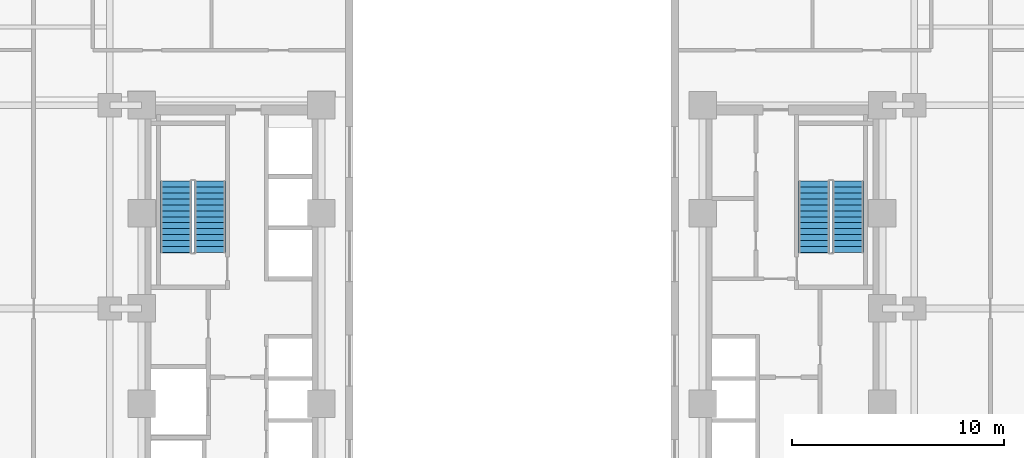
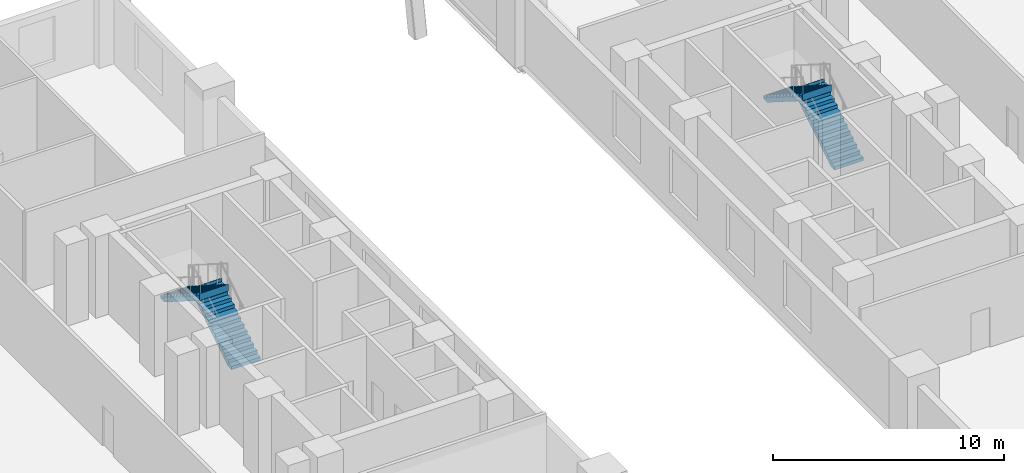
# One storey, part 7 of 15: 4 stair flights, 2 elements without a shape of their own.
"""IFC4 building model written with IfcOpenShell, lengths in metres."""

from ifc_helpers import new_model, si_unit, direction, frame, origin, place, context, subcontext, project, spatial, polyline, outline, extrude, material, type_object, element, aggregate, save


model = new_model("IFC4")

# Units and contexts
model_context = context("Model", 3, precision=1e-05, world=origin(), true_north=direction((0.0, 1.0)))
body_context = subcontext(model_context, "Body", "Model", "MODEL_VIEW")
ifc_project = project(units=[si_unit("LENGTHUNIT", "METRE"), si_unit("AREAUNIT", "SQUARE_METRE"), si_unit("VOLUMEUNIT", "CUBIC_METRE"), si_unit("PLANEANGLEUNIT", "RADIAN"), si_unit("MASSUNIT", "GRAM", prefix="KILO")], contexts=[model_context])

# Site, building, storey
site_placement = place(None, origin())
site = spatial("IfcSite", under=ifc_project, at=site_placement, CompositionType="ELEMENT")
building_placement = place(site_placement, origin())
building = spatial("IfcBuilding", under=site, at=building_placement, Name="Nuvemarco Arch Tower", CompositionType="ELEMENT")
storey_placement = place(building_placement, frame((0.0, 0.0, 4.60009765625)))
storey = spatial("IfcBuildingStorey", under=building, at=storey_placement, Name="L01", CompositionType="ELEMENT", Elevation=4.60009765625)

# Stair, stair flights
ifc_material = material(Name="Precast concrete C45/55", Category="concrete")
stair_type = type_object("IfcStairType", Name="ST-CORE-26R", PredefinedType="HALF_TURN_STAIR", material=ifc_material)
stair_1_placement = place(storey_placement, origin())
stair_1 = element("IfcStair", 1, at=stair_1_placement, inside=storey, type_object=stair_type, Name="L01 Protected Exit Stair ST-1", PredefinedType="HALF_TURN_STAIR")
stair_flight_type = type_object("IfcStairFlightType", Name="SF-CORE-26R", PredefinedType="STRAIGHT", material=ifc_material)
stair_flight_1_placement = place(storey_placement, frame((-14.264892578125, 2.64990234375, 0.0), z_axis=(0.0, 0.0, 1.0), x_axis=(0.0, 1.0, 0.0)))
stair_flight_1 = element("IfcStairFlight", 2, at=stair_flight_1_placement, type_object=stair_flight_type, Name="ST-26R flight 1", NumberOfRisers=13, NumberOfTreads=12, PredefinedType="STRAIGHT", RiserHeight=0.176923077, TreadLength=0.28, context=body_context, shape_type="SweptSolid", body=[
    extrude(outline(polyline([(0.0, 0.0), (0.0, 0.177001953125), (0.280029296875, 0.177001953125), (0.280029296875, 0.353759765625), (0.56005859375, 0.353759765625), (0.56005859375, 0.53076171875), (0.840087890625, 0.53076171875), (0.840087890625, 0.707763671875), (1.1201171875, 0.707763671875), (1.1201171875, 0.884521484375), (1.39990234375, 0.884521484375), (1.39990234375, 1.0615234375), (1.679931640625, 1.0615234375), (1.679931640625, 1.238525390625), (1.9599609375, 1.238525390625), (1.9599609375, 1.415283203125), (2.239990234375, 1.415283203125), (2.239990234375, 1.59228515625), (2.52001953125, 1.59228515625), (2.52001953125, 1.769287109375), (2.800048828125, 1.769287109375), (2.800048828125, 1.946044921875), (3.080078125, 1.946044921875), (3.080078125, 2.123046875), (3.360107421875, 2.123046875), (3.360107421875, 2.300048828125), (3.3798828125, 2.300048828125), (3.3798828125, 1.933837890625), (0.3193359375, 0.0), (0.0, 0.0)])), frame((0.0, 0.72509765625, 0.0), z_axis=(0.0, -1.0, 0.0), x_axis=(1.0, 0.0, 0.0)), (0.0, 0.0, 1.0), 1.449951171875),
])
stair_flight_2_placement = place(storey_placement, frame((-15.875, 6.010009765625, 2.2998046875), z_axis=(0.0, 0.0, 1.0), x_axis=(0.0, -1.0, 0.0)))
stair_flight_2 = element("IfcStairFlight", 3, at=stair_flight_2_placement, type_object=stair_flight_type, Name="ST-26R flight 2", NumberOfRisers=13, NumberOfTreads=12, PredefinedType="STRAIGHT", RiserHeight=0.176923077, TreadLength=0.28, context=body_context, shape_type="SweptSolid", body=[
    extrude(outline(polyline([(0.0, 0.0), (0.0, 0.177001953125), (0.280029296875, 0.177001953125), (0.280029296875, 0.353759765625), (0.56005859375, 0.353759765625), (0.56005859375, 0.53076171875), (0.840087890625, 0.53076171875), (0.840087890625, 0.707763671875), (1.1201171875, 0.707763671875), (1.1201171875, 0.884521484375), (1.39990234375, 0.884521484375), (1.39990234375, 1.0615234375), (1.679931640625, 1.0615234375), (1.679931640625, 1.238525390625), (1.9599609375, 1.238525390625), (1.9599609375, 1.415283203125), (2.239990234375, 1.415283203125), (2.239990234375, 1.59228515625), (2.52001953125, 1.59228515625), (2.52001953125, 1.769287109375), (2.800048828125, 1.769287109375), (2.800048828125, 1.946044921875), (3.080078125, 1.946044921875), (3.080078125, 2.123046875), (3.360107421875, 2.123046875), (3.360107421875, 2.300048828125), (3.3798828125, 2.300048828125), (3.3798828125, 1.933837890625), (0.3193359375, 0.0), (0.0, 0.0)])), frame((0.0, 0.72509765625, 0.0), z_axis=(0.0, -1.0, 0.0), x_axis=(1.0, 0.0, 0.0)), (0.0, 0.0, 1.0), 1.449951171875),
])
aggregate(stair_1, [stair_flight_1, stair_flight_2])

stair_2_placement = place(storey_placement, origin())
stair_2 = element("IfcStair", 4, at=stair_2_placement, inside=storey, type_object=stair_type, Name="L01 Protected Exit Stair ST-2", PredefinedType="HALF_TURN_STAIR")
stair_flight_3_placement = place(storey_placement, frame((15.875, 2.64990234375, 0.0), z_axis=(0.0, 0.0, 1.0), x_axis=(0.0, 1.0, 0.0)))
stair_flight_3 = element("IfcStairFlight", 5, at=stair_flight_3_placement, type_object=stair_flight_type, Name="ST-26R flight 1", NumberOfRisers=13, NumberOfTreads=12, PredefinedType="STRAIGHT", RiserHeight=0.176923077, TreadLength=0.28, context=body_context, shape_type="SweptSolid", body=[
    extrude(outline(polyline([(0.0, 0.0), (0.0, 0.177001953125), (0.280029296875, 0.177001953125), (0.280029296875, 0.353759765625), (0.56005859375, 0.353759765625), (0.56005859375, 0.53076171875), (0.840087890625, 0.53076171875), (0.840087890625, 0.707763671875), (1.1201171875, 0.707763671875), (1.1201171875, 0.884521484375), (1.39990234375, 0.884521484375), (1.39990234375, 1.0615234375), (1.679931640625, 1.0615234375), (1.679931640625, 1.238525390625), (1.9599609375, 1.238525390625), (1.9599609375, 1.415283203125), (2.239990234375, 1.415283203125), (2.239990234375, 1.59228515625), (2.52001953125, 1.59228515625), (2.52001953125, 1.769287109375), (2.800048828125, 1.769287109375), (2.800048828125, 1.946044921875), (3.080078125, 1.946044921875), (3.080078125, 2.123046875), (3.360107421875, 2.123046875), (3.360107421875, 2.300048828125), (3.3798828125, 2.300048828125), (3.3798828125, 1.933837890625), (0.3193359375, 0.0), (0.0, 0.0)])), frame((0.0, 0.72509765625, 0.0), z_axis=(0.0, -1.0, 0.0), x_axis=(1.0, 0.0, 0.0)), (0.0, 0.0, 1.0), 1.449951171875),
])
stair_flight_4_placement = place(storey_placement, frame((14.264892578125, 6.010009765625, 2.2998046875), z_axis=(0.0, 0.0, 1.0), x_axis=(0.0, -1.0, 0.0)))
stair_flight_4 = element("IfcStairFlight", 6, at=stair_flight_4_placement, type_object=stair_flight_type, Name="ST-26R flight 2", NumberOfRisers=13, NumberOfTreads=12, PredefinedType="STRAIGHT", RiserHeight=0.176923077, TreadLength=0.28, context=body_context, shape_type="SweptSolid", body=[
    extrude(outline(polyline([(0.0, 0.0), (0.0, 0.177001953125), (0.280029296875, 0.177001953125), (0.280029296875, 0.353759765625), (0.56005859375, 0.353759765625), (0.56005859375, 0.53076171875), (0.840087890625, 0.53076171875), (0.840087890625, 0.707763671875), (1.1201171875, 0.707763671875), (1.1201171875, 0.884521484375), (1.39990234375, 0.884521484375), (1.39990234375, 1.0615234375), (1.679931640625, 1.0615234375), (1.679931640625, 1.238525390625), (1.9599609375, 1.238525390625), (1.9599609375, 1.415283203125), (2.239990234375, 1.415283203125), (2.239990234375, 1.59228515625), (2.52001953125, 1.59228515625), (2.52001953125, 1.769287109375), (2.800048828125, 1.769287109375), (2.800048828125, 1.946044921875), (3.080078125, 1.946044921875), (3.080078125, 2.123046875), (3.360107421875, 2.123046875), (3.360107421875, 2.300048828125), (3.3798828125, 2.300048828125), (3.3798828125, 1.933837890625), (0.3193359375, 0.0), (0.0, 0.0)])), frame((0.0, 0.72509765625, 0.0), z_axis=(0.0, -1.0, 0.0), x_axis=(1.0, 0.0, 0.0)), (0.0, 0.0, 1.0), 1.449951171875),
])
aggregate(stair_2, [stair_flight_3, stair_flight_4])

save(model, "model.ifc")
